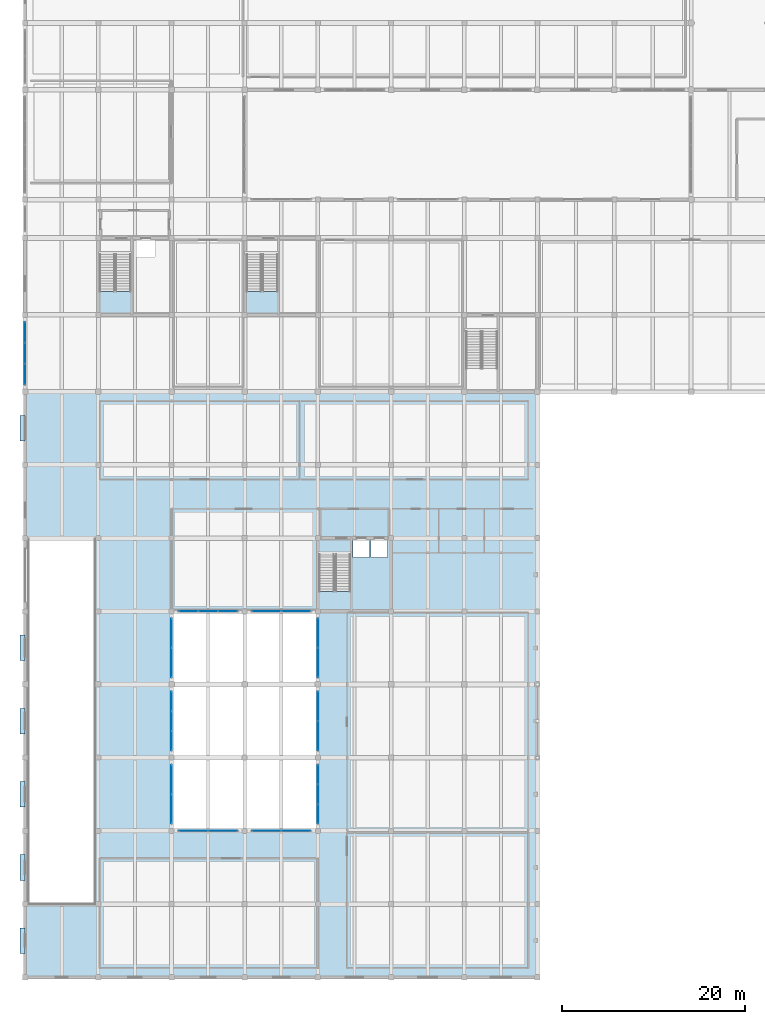
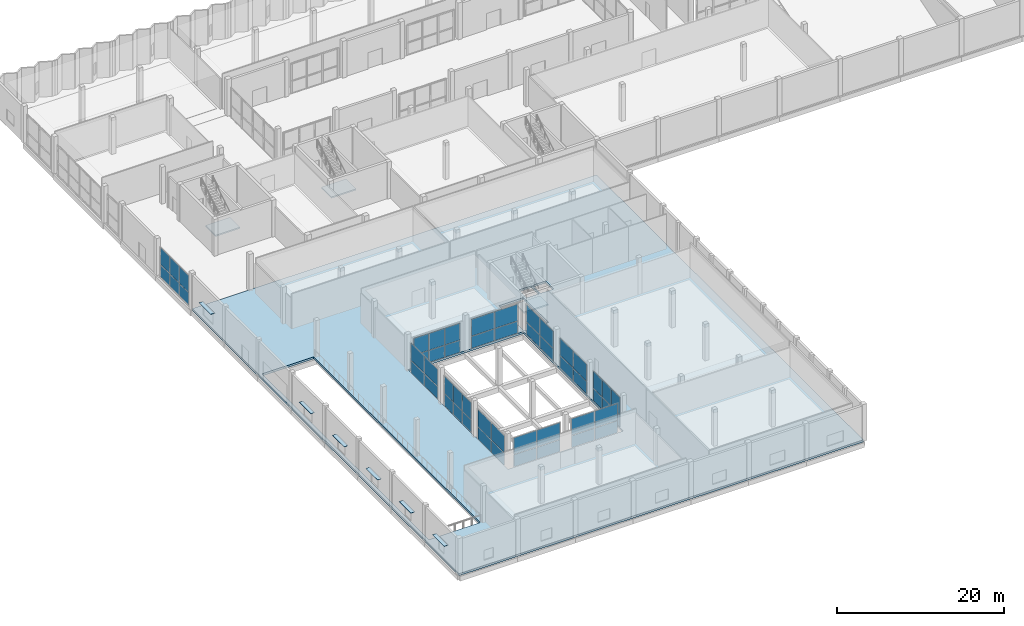
# One storey, part 20 of 41: 58 plates, 4 slabs, 14 elements without a shape of their own.
"""IFC4 building model written with IfcOpenShell, lengths in metres."""

from ifc_helpers import new_model, si_unit, direction, frame, origin, origin_2d, place, context, subcontext, project, spatial, polyline, rectangle, outline, extrude, material, layer, layer_set, type_object, element, aggregate, save


model = new_model("IFC4")

# Units and contexts
model_context = context("Model", 3, precision=1e-05, world=origin(), true_north=direction((0.0, 1.0)))
body_context = subcontext(model_context, "Body", "Model", "MODEL_VIEW")
ifc_project = project(units=[si_unit("LENGTHUNIT", "METRE"), si_unit("AREAUNIT", "SQUARE_METRE"), si_unit("VOLUMEUNIT", "CUBIC_METRE"), si_unit("PLANEANGLEUNIT", "RADIAN"), si_unit("MASSUNIT", "GRAM", prefix="KILO")], contexts=[model_context])

# Site, building, storey
site_placement = place(None, origin())
site = spatial("IfcSite", under=ifc_project, at=site_placement, CompositionType="ELEMENT")
building_placement = place(site_placement, origin())
building = spatial("IfcBuilding", under=site, at=building_placement, Name="Vharandega Faculty of Natural Sciences", CompositionType="ELEMENT")
storey_placement = place(building_placement, origin())
storey = spatial("IfcBuildingStorey", under=building, at=storey_placement, Name="L00", CompositionType="ELEMENT", Elevation=0.0)

# Curtain wall, plates
ifc_material_1 = material(Name="Aluminium and solar-control glass curtain wall", Category="aluminium")
curtain_wall_type_1 = type_object("IfcCurtainWallType", Name="Unitised Curtain Wall System CW-06", PredefinedType="NOTDEFINED", material=ifc_material_1)
curtain_wall_1_placement = place(storey_placement, origin())
curtain_wall_1 = element("IfcCurtainWall", 1, at=curtain_wall_1_placement, inside=storey, type_object=curtain_wall_type_1, Name="Curtain Wall CW-L00-033", PredefinedType="NOTDEFINED")
ifc_material_2 = material(Name="Double-glazed low-E solar glass", Category="glass")
ifc_layer_1 = layer(ifc_material_2, 0.028076171875, Name="Double-glazed low-E solar glass")
ifc_layer_set_1 = layer_set([ifc_layer_1], Name="Double-glazed low-E solar glass")
plate_type_1 = type_object("IfcPlateType", Name="CW Solar Vision Panel 28mm", PredefinedType="CURTAIN_PANEL", material=ifc_layer_set_1)
plate_1_placement = place(storey_placement, frame((0.0, 65.910888671875, 0.06494140625), z_axis=(0.0, 0.0, 1.0), x_axis=(0.0, 1.0, 0.0)))
plate_1 = element("IfcPlate", 2, at=plate_1_placement, type_object=plate_type_1, Name="CW-06 panel 1.1", PredefinedType="CURTAIN_PANEL", context=body_context, shape_type="SweptSolid", body=[
    extrude(rectangle(XDim=2.20166015625, YDim=0.028076171875, at=origin_2d()), origin(), (0.0, 0.0, 1.0), 1.746337890625),
])
plate_2_placement = place(storey_placement, frame((0.0, 65.910888671875, 1.876220703125), z_axis=(0.0, 0.0, 1.0), x_axis=(0.0, 1.0, 0.0)))
plate_2 = element("IfcPlate", 3, at=plate_2_placement, type_object=plate_type_1, Name="CW-06 panel 1.2", PredefinedType="CURTAIN_PANEL", context=body_context, shape_type="SweptSolid", body=[
    extrude(rectangle(XDim=2.20166015625, YDim=0.028076171875, at=origin_2d()), origin(), (0.0, 0.0, 1.0), 2.44873046875),
])
plate_3_placement = place(storey_placement, frame((0.0, 68.199951171875, 0.06494140625), z_axis=(0.0, 0.0, 1.0), x_axis=(0.0, 1.0, 0.0)))
plate_3 = element("IfcPlate", 4, at=plate_3_placement, type_object=plate_type_1, Name="CW-06 panel 2.1", PredefinedType="CURTAIN_PANEL", context=body_context, shape_type="SweptSolid", body=[
    extrude(rectangle(XDim=2.236572265625, YDim=0.028076171875, at=origin_2d()), origin(), (0.0, 0.0, 1.0), 1.746337890625),
])
plate_4_placement = place(storey_placement, frame((0.0, 68.199951171875, 1.876220703125), z_axis=(0.0, 0.0, 1.0), x_axis=(0.0, 1.0, 0.0)))
plate_4 = element("IfcPlate", 5, at=plate_4_placement, type_object=plate_type_1, Name="CW-06 panel 2.2", PredefinedType="CURTAIN_PANEL", context=body_context, shape_type="SweptSolid", body=[
    extrude(rectangle(XDim=2.236572265625, YDim=0.028076171875, at=origin_2d()), origin(), (0.0, 0.0, 1.0), 2.44873046875),
])
plate_5_placement = place(storey_placement, frame((0.0, 70.4892578125, 0.06494140625), z_axis=(0.0, 0.0, 1.0), x_axis=(0.0, 1.0, 0.0)))
plate_5 = element("IfcPlate", 6, at=plate_5_placement, type_object=plate_type_1, Name="CW-06 panel 3.1", PredefinedType="CURTAIN_PANEL", context=body_context, shape_type="SweptSolid", body=[
    extrude(rectangle(XDim=2.20166015625, YDim=0.028076171875, at=origin_2d()), origin(), (0.0, 0.0, 1.0), 1.746337890625),
])
plate_6_placement = place(storey_placement, frame((0.0, 70.4892578125, 1.876220703125), z_axis=(0.0, 0.0, 1.0), x_axis=(0.0, 1.0, 0.0)))
plate_6 = element("IfcPlate", 7, at=plate_6_placement, type_object=plate_type_1, Name="CW-06 panel 3.2", PredefinedType="CURTAIN_PANEL", context=body_context, shape_type="SweptSolid", body=[
    extrude(rectangle(XDim=2.20166015625, YDim=0.028076171875, at=origin_2d()), origin(), (0.0, 0.0, 1.0), 2.44873046875),
])
aggregate(curtain_wall_1, [plate_1, plate_2, plate_3, plate_4, plate_5, plate_6])

ifc_material_3 = material(Name="Aluminium and solar-control glass curtain wall", Category="aluminium")
curtain_wall_type_2 = type_object("IfcCurtainWallType", Name="Unitised Curtain Wall System CW-28", PredefinedType="NOTDEFINED", material=ifc_material_3)
curtain_wall_2_placement = place(storey_placement, origin())
curtain_wall_2 = element("IfcCurtainWall", 8, at=curtain_wall_2_placement, inside=storey, type_object=curtain_wall_type_2, Name="Curtain Wall CW-L00-111", PredefinedType="NOTDEFINED")
plate_7_placement = place(storey_placement, frame((18.387451171875, 16.0, 0.06494140625), z_axis=(0.0, 0.0, 1.0), x_axis=(1.0, 0.0, 0.0)))
plate_7 = element("IfcPlate", 9, at=plate_7_placement, type_object=plate_type_1, Name="CW-28 panel 1.1", PredefinedType="CURTAIN_PANEL", context=body_context, shape_type="SweptSolid", body=[
    extrude(rectangle(XDim=3.155029296875, YDim=0.028076171875, at=origin_2d()), origin(), (0.0, 0.0, 1.0), 1.73779296875),
])
plate_8_placement = place(storey_placement, frame((18.387451171875, 16.0, 1.867919921875), z_axis=(0.0, 0.0, 1.0), x_axis=(1.0, 0.0, 0.0)))
plate_8 = element("IfcPlate", 10, at=plate_8_placement, type_object=plate_type_1, Name="CW-28 panel 1.2", PredefinedType="CURTAIN_PANEL", context=body_context, shape_type="SweptSolid", body=[
    extrude(rectangle(XDim=3.155029296875, YDim=0.028076171875, at=origin_2d()), origin(), (0.0, 0.0, 1.0), 2.43701171875),
])
plate_9_placement = place(storey_placement, frame((21.612548828125, 16.0, 0.06494140625), z_axis=(0.0, 0.0, 1.0), x_axis=(1.0, 0.0, 0.0)))
plate_9 = element("IfcPlate", 11, at=plate_9_placement, type_object=plate_type_1, Name="CW-28 panel 2.1", PredefinedType="CURTAIN_PANEL", context=body_context, shape_type="SweptSolid", body=[
    extrude(rectangle(XDim=3.155029296875, YDim=0.028076171875, at=origin_2d()), origin(), (0.0, 0.0, 1.0), 1.73779296875),
])
plate_10_placement = place(storey_placement, frame((21.612548828125, 16.0, 1.867919921875), z_axis=(0.0, 0.0, 1.0), x_axis=(1.0, 0.0, 0.0)))
plate_10 = element("IfcPlate", 12, at=plate_10_placement, type_object=plate_type_1, Name="CW-28 panel 2.2", PredefinedType="CURTAIN_PANEL", context=body_context, shape_type="SweptSolid", body=[
    extrude(rectangle(XDim=3.155029296875, YDim=0.028076171875, at=origin_2d()), origin(), (0.0, 0.0, 1.0), 2.43701171875),
])
aggregate(curtain_wall_2, [plate_7, plate_8, plate_9, plate_10])

ifc_material_4 = material(Name="Aluminium and solar-control glass curtain wall", Category="aluminium")
curtain_wall_type_3 = type_object("IfcCurtainWallType", Name="Unitised Curtain Wall System CW-01", PredefinedType="NOTDEFINED", material=ifc_material_4)
curtain_wall_3_placement = place(storey_placement, origin())
curtain_wall_3 = element("IfcCurtainWall", 13, at=curtain_wall_3_placement, inside=storey, type_object=curtain_wall_type_3, Name="Curtain Wall CW-L00-112", PredefinedType="NOTDEFINED")
plate_11_placement = place(storey_placement, frame((17.84423828125, 40.0, 0.06494140625), z_axis=(0.0, 0.0, 1.0), x_axis=(1.0, 0.0, 0.0)))
plate_11 = element("IfcPlate", 14, at=plate_11_placement, type_object=plate_type_1, Name="CW-01 panel 1.1", PredefinedType="CURTAIN_PANEL", context=body_context, shape_type="SweptSolid", body=[
    extrude(rectangle(XDim=2.068359375, YDim=0.028076171875, at=origin_2d()), origin(), (0.0, 0.0, 1.0), 1.73779296875),
])
plate_12_placement = place(storey_placement, frame((17.84423828125, 40.0, 1.867919921875), z_axis=(0.0, 0.0, 1.0), x_axis=(1.0, 0.0, 0.0)))
plate_12 = element("IfcPlate", 15, at=plate_12_placement, type_object=plate_type_1, Name="CW-01 panel 1.2", PredefinedType="CURTAIN_PANEL", context=body_context, shape_type="SweptSolid", body=[
    extrude(rectangle(XDim=2.068359375, YDim=0.028076171875, at=origin_2d()), origin(), (0.0, 0.0, 1.0), 2.43701171875),
])
plate_13_placement = place(storey_placement, frame((20.0, 40.0, 0.06494140625), z_axis=(0.0, 0.0, 1.0), x_axis=(1.0, 0.0, 0.0)))
plate_13 = element("IfcPlate", 16, at=plate_13_placement, type_object=plate_type_1, Name="CW-01 panel 2.1", PredefinedType="CURTAIN_PANEL", context=body_context, shape_type="SweptSolid", body=[
    extrude(rectangle(XDim=2.103271484375, YDim=0.028076171875, at=origin_2d()), origin(), (0.0, 0.0, 1.0), 1.73779296875),
])
plate_14_placement = place(storey_placement, frame((20.0, 40.0, 1.867919921875), z_axis=(0.0, 0.0, 1.0), x_axis=(1.0, 0.0, 0.0)))
plate_14 = element("IfcPlate", 17, at=plate_14_placement, type_object=plate_type_1, Name="CW-01 panel 2.2", PredefinedType="CURTAIN_PANEL", context=body_context, shape_type="SweptSolid", body=[
    extrude(rectangle(XDim=2.103271484375, YDim=0.028076171875, at=origin_2d()), origin(), (0.0, 0.0, 1.0), 2.43701171875),
])
plate_15_placement = place(storey_placement, frame((22.15576171875, 40.0, 0.06494140625), z_axis=(0.0, 0.0, 1.0), x_axis=(1.0, 0.0, 0.0)))
plate_15 = element("IfcPlate", 18, at=plate_15_placement, type_object=plate_type_1, Name="CW-01 panel 3.1", PredefinedType="CURTAIN_PANEL", context=body_context, shape_type="SweptSolid", body=[
    extrude(rectangle(XDim=2.068359375, YDim=0.028076171875, at=origin_2d()), origin(), (0.0, 0.0, 1.0), 1.73779296875),
])
plate_16_placement = place(storey_placement, frame((22.15576171875, 40.0, 1.867919921875), z_axis=(0.0, 0.0, 1.0), x_axis=(1.0, 0.0, 0.0)))
plate_16 = element("IfcPlate", 19, at=plate_16_placement, type_object=plate_type_1, Name="CW-01 panel 3.2", PredefinedType="CURTAIN_PANEL", context=body_context, shape_type="SweptSolid", body=[
    extrude(rectangle(XDim=2.068359375, YDim=0.028076171875, at=origin_2d()), origin(), (0.0, 0.0, 1.0), 2.43701171875),
])
aggregate(curtain_wall_3, [plate_11, plate_12, plate_13, plate_14, plate_15, plate_16])

ifc_material_5 = material(Name="Aluminium and solar-control glass curtain wall", Category="aluminium")
curtain_wall_type_4 = type_object("IfcCurtainWallType", Name="Unitised Curtain Wall System CW-02", PredefinedType="NOTDEFINED", material=ifc_material_5)
curtain_wall_4_placement = place(storey_placement, origin())
curtain_wall_4 = element("IfcCurtainWall", 20, at=curtain_wall_4_placement, inside=storey, type_object=curtain_wall_type_4, Name="Curtain Wall CW-L00-113", PredefinedType="NOTDEFINED")
plate_17_placement = place(storey_placement, frame((26.387451171875, 16.0, 0.06494140625), z_axis=(0.0, 0.0, 1.0), x_axis=(1.0, 0.0, 0.0)))
plate_17 = element("IfcPlate", 21, at=plate_17_placement, type_object=plate_type_1, Name="CW-02 panel 1.1", PredefinedType="CURTAIN_PANEL", context=body_context, shape_type="SweptSolid", body=[
    extrude(rectangle(XDim=3.155029296875, YDim=0.028076171875, at=origin_2d()), origin(), (0.0, 0.0, 1.0), 1.73779296875),
])
plate_18_placement = place(storey_placement, frame((26.387451171875, 16.0, 1.867919921875), z_axis=(0.0, 0.0, 1.0), x_axis=(1.0, 0.0, 0.0)))
plate_18 = element("IfcPlate", 22, at=plate_18_placement, type_object=plate_type_1, Name="CW-02 panel 1.2", PredefinedType="CURTAIN_PANEL", context=body_context, shape_type="SweptSolid", body=[
    extrude(rectangle(XDim=3.155029296875, YDim=0.028076171875, at=origin_2d()), origin(), (0.0, 0.0, 1.0), 2.43701171875),
])
plate_19_placement = place(storey_placement, frame((29.612548828125, 16.0, 0.06494140625), z_axis=(0.0, 0.0, 1.0), x_axis=(1.0, 0.0, 0.0)))
plate_19 = element("IfcPlate", 23, at=plate_19_placement, type_object=plate_type_1, Name="CW-02 panel 2.1", PredefinedType="CURTAIN_PANEL", context=body_context, shape_type="SweptSolid", body=[
    extrude(rectangle(XDim=3.155029296875, YDim=0.028076171875, at=origin_2d()), origin(), (0.0, 0.0, 1.0), 1.73779296875),
])
plate_20_placement = place(storey_placement, frame((29.612548828125, 16.0, 1.867919921875), z_axis=(0.0, 0.0, 1.0), x_axis=(1.0, 0.0, 0.0)))
plate_20 = element("IfcPlate", 24, at=plate_20_placement, type_object=plate_type_1, Name="CW-02 panel 2.2", PredefinedType="CURTAIN_PANEL", context=body_context, shape_type="SweptSolid", body=[
    extrude(rectangle(XDim=3.155029296875, YDim=0.028076171875, at=origin_2d()), origin(), (0.0, 0.0, 1.0), 2.43701171875),
])
aggregate(curtain_wall_4, [plate_17, plate_18, plate_19, plate_20])

ifc_material_6 = material(Name="Aluminium and solar-control glass curtain wall", Category="aluminium")
curtain_wall_type_5 = type_object("IfcCurtainWallType", Name="Unitised Curtain Wall System CW-03", PredefinedType="NOTDEFINED", material=ifc_material_6)
curtain_wall_5_placement = place(storey_placement, origin())
curtain_wall_5 = element("IfcCurtainWall", 25, at=curtain_wall_5_placement, inside=storey, type_object=curtain_wall_type_5, Name="Curtain Wall CW-L00-114", PredefinedType="NOTDEFINED")
plate_21_placement = place(storey_placement, frame((26.387451171875, 40.0, 0.06494140625), z_axis=(0.0, 0.0, 1.0), x_axis=(1.0, 0.0, 0.0)))
plate_21 = element("IfcPlate", 26, at=plate_21_placement, type_object=plate_type_1, Name="CW-03 panel 1.1", PredefinedType="CURTAIN_PANEL", context=body_context, shape_type="SweptSolid", body=[
    extrude(rectangle(XDim=3.155029296875, YDim=0.028076171875, at=origin_2d()), origin(), (0.0, 0.0, 1.0), 1.73779296875),
])
plate_22_placement = place(storey_placement, frame((26.387451171875, 40.0, 1.867919921875), z_axis=(0.0, 0.0, 1.0), x_axis=(1.0, 0.0, 0.0)))
plate_22 = element("IfcPlate", 27, at=plate_22_placement, type_object=plate_type_1, Name="CW-03 panel 1.2", PredefinedType="CURTAIN_PANEL", context=body_context, shape_type="SweptSolid", body=[
    extrude(rectangle(XDim=3.155029296875, YDim=0.028076171875, at=origin_2d()), origin(), (0.0, 0.0, 1.0), 2.43701171875),
])
plate_23_placement = place(storey_placement, frame((29.612548828125, 40.0, 0.06494140625), z_axis=(0.0, 0.0, 1.0), x_axis=(1.0, 0.0, 0.0)))
plate_23 = element("IfcPlate", 28, at=plate_23_placement, type_object=plate_type_1, Name="CW-03 panel 2.1", PredefinedType="CURTAIN_PANEL", context=body_context, shape_type="SweptSolid", body=[
    extrude(rectangle(XDim=3.155029296875, YDim=0.028076171875, at=origin_2d()), origin(), (0.0, 0.0, 1.0), 1.73779296875),
])
plate_24_placement = place(storey_placement, frame((29.612548828125, 40.0, 1.867919921875), z_axis=(0.0, 0.0, 1.0), x_axis=(1.0, 0.0, 0.0)))
plate_24 = element("IfcPlate", 29, at=plate_24_placement, type_object=plate_type_1, Name="CW-03 panel 2.2", PredefinedType="CURTAIN_PANEL", context=body_context, shape_type="SweptSolid", body=[
    extrude(rectangle(XDim=3.155029296875, YDim=0.028076171875, at=origin_2d()), origin(), (0.0, 0.0, 1.0), 2.43701171875),
])
aggregate(curtain_wall_5, [plate_21, plate_22, plate_23, plate_24])

ifc_material_7 = material(Name="Aluminium and solar-control glass curtain wall", Category="aluminium")
curtain_wall_type_6 = type_object("IfcCurtainWallType", Name="Unitised Curtain Wall System CW-04", PredefinedType="NOTDEFINED", material=ifc_material_7)
curtain_wall_6_placement = place(storey_placement, origin())
curtain_wall_6 = element("IfcCurtainWall", 30, at=curtain_wall_6_placement, inside=storey, type_object=curtain_wall_type_6, Name="Curtain Wall CW-L00-115", PredefinedType="NOTDEFINED")
plate_25_placement = place(storey_placement, frame((16.0, 18.387451171875, 0.06494140625), z_axis=(0.0, 0.0, 1.0), x_axis=(0.0, 1.0, 0.0)))
plate_25 = element("IfcPlate", 31, at=plate_25_placement, type_object=plate_type_1, Name="CW-04 panel 1.1", PredefinedType="CURTAIN_PANEL", context=body_context, shape_type="SweptSolid", body=[
    extrude(rectangle(XDim=3.155029296875, YDim=0.028076171875, at=origin_2d()), origin(), (0.0, 0.0, 1.0), 1.77978515625),
])
plate_26_placement = place(storey_placement, frame((16.0, 18.387451171875, 1.909912109375), z_axis=(0.0, 0.0, 1.0), x_axis=(0.0, 1.0, 0.0)))
plate_26 = element("IfcPlate", 32, at=plate_26_placement, type_object=plate_type_1, Name="CW-04 panel 1.2", PredefinedType="CURTAIN_PANEL", context=body_context, shape_type="SweptSolid", body=[
    extrude(rectangle(XDim=3.155029296875, YDim=0.028076171875, at=origin_2d()), origin(), (0.0, 0.0, 1.0), 2.4951171875),
])
plate_27_placement = place(storey_placement, frame((16.0, 21.612548828125, 0.06494140625), z_axis=(0.0, 0.0, 1.0), x_axis=(0.0, 1.0, 0.0)))
plate_27 = element("IfcPlate", 33, at=plate_27_placement, type_object=plate_type_1, Name="CW-04 panel 2.1", PredefinedType="CURTAIN_PANEL", context=body_context, shape_type="SweptSolid", body=[
    extrude(rectangle(XDim=3.155029296875, YDim=0.028076171875, at=origin_2d()), origin(), (0.0, 0.0, 1.0), 1.77978515625),
])
plate_28_placement = place(storey_placement, frame((16.0, 21.612548828125, 1.909912109375), z_axis=(0.0, 0.0, 1.0), x_axis=(0.0, 1.0, 0.0)))
plate_28 = element("IfcPlate", 34, at=plate_28_placement, type_object=plate_type_1, Name="CW-04 panel 2.2", PredefinedType="CURTAIN_PANEL", context=body_context, shape_type="SweptSolid", body=[
    extrude(rectangle(XDim=3.155029296875, YDim=0.028076171875, at=origin_2d()), origin(), (0.0, 0.0, 1.0), 2.4951171875),
])
aggregate(curtain_wall_6, [plate_25, plate_26, plate_27, plate_28])

ifc_material_8 = material(Name="Aluminium and solar-control glass curtain wall", Category="aluminium")
curtain_wall_type_7 = type_object("IfcCurtainWallType", Name="Unitised Curtain Wall System CW-05", PredefinedType="NOTDEFINED", material=ifc_material_8)
curtain_wall_7_placement = place(storey_placement, origin())
curtain_wall_7 = element("IfcCurtainWall", 35, at=curtain_wall_7_placement, inside=storey, type_object=curtain_wall_type_7, Name="Curtain Wall CW-L00-116", PredefinedType="NOTDEFINED")
plate_29_placement = place(storey_placement, frame((32.0, 17.84423828125, 0.06494140625), z_axis=(0.0, 0.0, 1.0), x_axis=(0.0, 1.0, 0.0)))
plate_29 = element("IfcPlate", 36, at=plate_29_placement, type_object=plate_type_1, Name="CW-05 panel 1.1", PredefinedType="CURTAIN_PANEL", context=body_context, shape_type="SweptSolid", body=[
    extrude(rectangle(XDim=2.068359375, YDim=0.028076171875, at=origin_2d()), origin(), (0.0, 0.0, 1.0), 1.77978515625),
])
plate_30_placement = place(storey_placement, frame((32.0, 17.84423828125, 1.909912109375), z_axis=(0.0, 0.0, 1.0), x_axis=(0.0, 1.0, 0.0)))
plate_30 = element("IfcPlate", 37, at=plate_30_placement, type_object=plate_type_1, Name="CW-05 panel 1.2", PredefinedType="CURTAIN_PANEL", context=body_context, shape_type="SweptSolid", body=[
    extrude(rectangle(XDim=2.068359375, YDim=0.028076171875, at=origin_2d()), origin(), (0.0, 0.0, 1.0), 2.4951171875),
])
plate_31_placement = place(storey_placement, frame((32.0, 20.0, 0.06494140625), z_axis=(0.0, 0.0, 1.0), x_axis=(0.0, 1.0, 0.0)))
plate_31 = element("IfcPlate", 38, at=plate_31_placement, type_object=plate_type_1, Name="CW-05 panel 2.1", PredefinedType="CURTAIN_PANEL", context=body_context, shape_type="SweptSolid", body=[
    extrude(rectangle(XDim=2.103271484375, YDim=0.028076171875, at=origin_2d()), origin(), (0.0, 0.0, 1.0), 1.77978515625),
])
plate_32_placement = place(storey_placement, frame((32.0, 20.0, 1.909912109375), z_axis=(0.0, 0.0, 1.0), x_axis=(0.0, 1.0, 0.0)))
plate_32 = element("IfcPlate", 39, at=plate_32_placement, type_object=plate_type_1, Name="CW-05 panel 2.2", PredefinedType="CURTAIN_PANEL", context=body_context, shape_type="SweptSolid", body=[
    extrude(rectangle(XDim=2.103271484375, YDim=0.028076171875, at=origin_2d()), origin(), (0.0, 0.0, 1.0), 2.4951171875),
])
plate_33_placement = place(storey_placement, frame((32.0, 22.15576171875, 0.06494140625), z_axis=(0.0, 0.0, 1.0), x_axis=(0.0, 1.0, 0.0)))
plate_33 = element("IfcPlate", 40, at=plate_33_placement, type_object=plate_type_1, Name="CW-05 panel 3.1", PredefinedType="CURTAIN_PANEL", context=body_context, shape_type="SweptSolid", body=[
    extrude(rectangle(XDim=2.068359375, YDim=0.028076171875, at=origin_2d()), origin(), (0.0, 0.0, 1.0), 1.77978515625),
])
plate_34_placement = place(storey_placement, frame((32.0, 22.15576171875, 1.909912109375), z_axis=(0.0, 0.0, 1.0), x_axis=(0.0, 1.0, 0.0)))
plate_34 = element("IfcPlate", 41, at=plate_34_placement, type_object=plate_type_1, Name="CW-05 panel 3.2", PredefinedType="CURTAIN_PANEL", context=body_context, shape_type="SweptSolid", body=[
    extrude(rectangle(XDim=2.068359375, YDim=0.028076171875, at=origin_2d()), origin(), (0.0, 0.0, 1.0), 2.4951171875),
])
aggregate(curtain_wall_7, [plate_29, plate_30, plate_31, plate_32, plate_33, plate_34])

curtain_wall_8_placement = place(storey_placement, origin())
curtain_wall_8 = element("IfcCurtainWall", 42, at=curtain_wall_8_placement, inside=storey, type_object=curtain_wall_type_1, Name="Curtain Wall CW-L00-117", PredefinedType="NOTDEFINED")
plate_35_placement = place(storey_placement, frame((16.0, 25.84423828125, 0.06494140625), z_axis=(0.0, 0.0, 1.0), x_axis=(0.0, 1.0, 0.0)))
plate_35 = element("IfcPlate", 43, at=plate_35_placement, type_object=plate_type_1, Name="CW-06 panel 1.1", PredefinedType="CURTAIN_PANEL", context=body_context, shape_type="SweptSolid", body=[
    extrude(rectangle(XDim=2.068359375, YDim=0.028076171875, at=origin_2d()), origin(), (0.0, 0.0, 1.0), 1.77978515625),
])
plate_36_placement = place(storey_placement, frame((16.0, 25.84423828125, 1.909912109375), z_axis=(0.0, 0.0, 1.0), x_axis=(0.0, 1.0, 0.0)))
plate_36 = element("IfcPlate", 44, at=plate_36_placement, type_object=plate_type_1, Name="CW-06 panel 1.2", PredefinedType="CURTAIN_PANEL", context=body_context, shape_type="SweptSolid", body=[
    extrude(rectangle(XDim=2.068359375, YDim=0.028076171875, at=origin_2d()), origin(), (0.0, 0.0, 1.0), 2.4951171875),
])
plate_37_placement = place(storey_placement, frame((16.0, 28.0, 0.06494140625), z_axis=(0.0, 0.0, 1.0), x_axis=(0.0, 1.0, 0.0)))
plate_37 = element("IfcPlate", 45, at=plate_37_placement, type_object=plate_type_1, Name="CW-06 panel 2.1", PredefinedType="CURTAIN_PANEL", context=body_context, shape_type="SweptSolid", body=[
    extrude(rectangle(XDim=2.103271484375, YDim=0.028076171875, at=origin_2d()), origin(), (0.0, 0.0, 1.0), 1.77978515625),
])
plate_38_placement = place(storey_placement, frame((16.0, 28.0, 1.909912109375), z_axis=(0.0, 0.0, 1.0), x_axis=(0.0, 1.0, 0.0)))
plate_38 = element("IfcPlate", 46, at=plate_38_placement, type_object=plate_type_1, Name="CW-06 panel 2.2", PredefinedType="CURTAIN_PANEL", context=body_context, shape_type="SweptSolid", body=[
    extrude(rectangle(XDim=2.103271484375, YDim=0.028076171875, at=origin_2d()), origin(), (0.0, 0.0, 1.0), 2.4951171875),
])
plate_39_placement = place(storey_placement, frame((16.0, 30.15576171875, 0.06494140625), z_axis=(0.0, 0.0, 1.0), x_axis=(0.0, 1.0, 0.0)))
plate_39 = element("IfcPlate", 47, at=plate_39_placement, type_object=plate_type_1, Name="CW-06 panel 3.1", PredefinedType="CURTAIN_PANEL", context=body_context, shape_type="SweptSolid", body=[
    extrude(rectangle(XDim=2.068359375, YDim=0.028076171875, at=origin_2d()), origin(), (0.0, 0.0, 1.0), 1.77978515625),
])
plate_40_placement = place(storey_placement, frame((16.0, 30.15576171875, 1.909912109375), z_axis=(0.0, 0.0, 1.0), x_axis=(0.0, 1.0, 0.0)))
plate_40 = element("IfcPlate", 48, at=plate_40_placement, type_object=plate_type_1, Name="CW-06 panel 3.2", PredefinedType="CURTAIN_PANEL", context=body_context, shape_type="SweptSolid", body=[
    extrude(rectangle(XDim=2.068359375, YDim=0.028076171875, at=origin_2d()), origin(), (0.0, 0.0, 1.0), 2.4951171875),
])
aggregate(curtain_wall_8, [plate_35, plate_36, plate_37, plate_38, plate_39, plate_40])

ifc_material_9 = material(Name="Aluminium and solar-control glass curtain wall", Category="aluminium")
curtain_wall_type_8 = type_object("IfcCurtainWallType", Name="Unitised Curtain Wall System CW-07", PredefinedType="NOTDEFINED", material=ifc_material_9)
curtain_wall_9_placement = place(storey_placement, origin())
curtain_wall_9 = element("IfcCurtainWall", 49, at=curtain_wall_9_placement, inside=storey, type_object=curtain_wall_type_8, Name="Curtain Wall CW-L00-118", PredefinedType="NOTDEFINED")
plate_41_placement = place(storey_placement, frame((32.0, 26.387451171875, 0.06494140625), z_axis=(0.0, 0.0, 1.0), x_axis=(0.0, 1.0, 0.0)))
plate_41 = element("IfcPlate", 50, at=plate_41_placement, type_object=plate_type_1, Name="CW-07 panel 1.1", PredefinedType="CURTAIN_PANEL", context=body_context, shape_type="SweptSolid", body=[
    extrude(rectangle(XDim=3.155029296875, YDim=0.028076171875, at=origin_2d()), origin(), (0.0, 0.0, 1.0), 1.77978515625),
])
plate_42_placement = place(storey_placement, frame((32.0, 26.387451171875, 1.909912109375), z_axis=(0.0, 0.0, 1.0), x_axis=(0.0, 1.0, 0.0)))
plate_42 = element("IfcPlate", 51, at=plate_42_placement, type_object=plate_type_1, Name="CW-07 panel 1.2", PredefinedType="CURTAIN_PANEL", context=body_context, shape_type="SweptSolid", body=[
    extrude(rectangle(XDim=3.155029296875, YDim=0.028076171875, at=origin_2d()), origin(), (0.0, 0.0, 1.0), 2.4951171875),
])
plate_43_placement = place(storey_placement, frame((32.0, 29.612548828125, 0.06494140625), z_axis=(0.0, 0.0, 1.0), x_axis=(0.0, 1.0, 0.0)))
plate_43 = element("IfcPlate", 52, at=plate_43_placement, type_object=plate_type_1, Name="CW-07 panel 2.1", PredefinedType="CURTAIN_PANEL", context=body_context, shape_type="SweptSolid", body=[
    extrude(rectangle(XDim=3.155029296875, YDim=0.028076171875, at=origin_2d()), origin(), (0.0, 0.0, 1.0), 1.77978515625),
])
plate_44_placement = place(storey_placement, frame((32.0, 29.612548828125, 1.909912109375), z_axis=(0.0, 0.0, 1.0), x_axis=(0.0, 1.0, 0.0)))
plate_44 = element("IfcPlate", 53, at=plate_44_placement, type_object=plate_type_1, Name="CW-07 panel 2.2", PredefinedType="CURTAIN_PANEL", context=body_context, shape_type="SweptSolid", body=[
    extrude(rectangle(XDim=3.155029296875, YDim=0.028076171875, at=origin_2d()), origin(), (0.0, 0.0, 1.0), 2.4951171875),
])
aggregate(curtain_wall_9, [plate_41, plate_42, plate_43, plate_44])

ifc_material_10 = material(Name="Aluminium and solar-control glass curtain wall", Category="aluminium")
curtain_wall_type_9 = type_object("IfcCurtainWallType", Name="Unitised Curtain Wall System CW-08", PredefinedType="NOTDEFINED", material=ifc_material_10)
curtain_wall_10_placement = place(storey_placement, origin())
curtain_wall_10 = element("IfcCurtainWall", 54, at=curtain_wall_10_placement, inside=storey, type_object=curtain_wall_type_9, Name="Curtain Wall CW-L00-119", PredefinedType="NOTDEFINED")
plate_45_placement = place(storey_placement, frame((16.0, 34.387451171875, 0.06494140625), z_axis=(0.0, 0.0, 1.0), x_axis=(0.0, 1.0, 0.0)))
plate_45 = element("IfcPlate", 55, at=plate_45_placement, type_object=plate_type_1, Name="CW-08 panel 1.1", PredefinedType="CURTAIN_PANEL", context=body_context, shape_type="SweptSolid", body=[
    extrude(rectangle(XDim=3.155029296875, YDim=0.028076171875, at=origin_2d()), origin(), (0.0, 0.0, 1.0), 1.77978515625),
])
plate_46_placement = place(storey_placement, frame((16.0, 34.387451171875, 1.909912109375), z_axis=(0.0, 0.0, 1.0), x_axis=(0.0, 1.0, 0.0)))
plate_46 = element("IfcPlate", 56, at=plate_46_placement, type_object=plate_type_1, Name="CW-08 panel 1.2", PredefinedType="CURTAIN_PANEL", context=body_context, shape_type="SweptSolid", body=[
    extrude(rectangle(XDim=3.155029296875, YDim=0.028076171875, at=origin_2d()), origin(), (0.0, 0.0, 1.0), 2.4951171875),
])
plate_47_placement = place(storey_placement, frame((16.0, 37.612548828125, 0.06494140625), z_axis=(0.0, 0.0, 1.0), x_axis=(0.0, 1.0, 0.0)))
plate_47 = element("IfcPlate", 57, at=plate_47_placement, type_object=plate_type_1, Name="CW-08 panel 2.1", PredefinedType="CURTAIN_PANEL", context=body_context, shape_type="SweptSolid", body=[
    extrude(rectangle(XDim=3.155029296875, YDim=0.028076171875, at=origin_2d()), origin(), (0.0, 0.0, 1.0), 1.77978515625),
])
plate_48_placement = place(storey_placement, frame((16.0, 37.612548828125, 1.909912109375), z_axis=(0.0, 0.0, 1.0), x_axis=(0.0, 1.0, 0.0)))
plate_48 = element("IfcPlate", 58, at=plate_48_placement, type_object=plate_type_1, Name="CW-08 panel 2.2", PredefinedType="CURTAIN_PANEL", context=body_context, shape_type="SweptSolid", body=[
    extrude(rectangle(XDim=3.155029296875, YDim=0.028076171875, at=origin_2d()), origin(), (0.0, 0.0, 1.0), 2.4951171875),
])
aggregate(curtain_wall_10, [plate_45, plate_46, plate_47, plate_48])

ifc_material_11 = material(Name="Aluminium and solar-control glass curtain wall", Category="aluminium")
curtain_wall_type_10 = type_object("IfcCurtainWallType", Name="Unitised Curtain Wall System CW-09", PredefinedType="NOTDEFINED", material=ifc_material_11)
curtain_wall_11_placement = place(storey_placement, origin())
curtain_wall_11 = element("IfcCurtainWall", 59, at=curtain_wall_11_placement, inside=storey, type_object=curtain_wall_type_10, Name="Curtain Wall CW-L00-120", PredefinedType="NOTDEFINED")
plate_49_placement = place(storey_placement, frame((32.0, 34.387451171875, 0.06494140625), z_axis=(0.0, 0.0, 1.0), x_axis=(0.0, 1.0, 0.0)))
plate_49 = element("IfcPlate", 60, at=plate_49_placement, type_object=plate_type_1, Name="CW-09 panel 1.1", PredefinedType="CURTAIN_PANEL", context=body_context, shape_type="SweptSolid", body=[
    extrude(rectangle(XDim=3.155029296875, YDim=0.028076171875, at=origin_2d()), origin(), (0.0, 0.0, 1.0), 1.77978515625),
])
plate_50_placement = place(storey_placement, frame((32.0, 34.387451171875, 1.909912109375), z_axis=(0.0, 0.0, 1.0), x_axis=(0.0, 1.0, 0.0)))
plate_50 = element("IfcPlate", 61, at=plate_50_placement, type_object=plate_type_1, Name="CW-09 panel 1.2", PredefinedType="CURTAIN_PANEL", context=body_context, shape_type="SweptSolid", body=[
    extrude(rectangle(XDim=3.155029296875, YDim=0.028076171875, at=origin_2d()), origin(), (0.0, 0.0, 1.0), 2.4951171875),
])
plate_51_placement = place(storey_placement, frame((32.0, 37.612548828125, 0.06494140625), z_axis=(0.0, 0.0, 1.0), x_axis=(0.0, 1.0, 0.0)))
plate_51 = element("IfcPlate", 62, at=plate_51_placement, type_object=plate_type_1, Name="CW-09 panel 2.1", PredefinedType="CURTAIN_PANEL", context=body_context, shape_type="SweptSolid", body=[
    extrude(rectangle(XDim=3.155029296875, YDim=0.028076171875, at=origin_2d()), origin(), (0.0, 0.0, 1.0), 1.77978515625),
])
plate_52_placement = place(storey_placement, frame((32.0, 37.612548828125, 1.909912109375), z_axis=(0.0, 0.0, 1.0), x_axis=(0.0, 1.0, 0.0)))
plate_52 = element("IfcPlate", 63, at=plate_52_placement, type_object=plate_type_1, Name="CW-09 panel 2.2", PredefinedType="CURTAIN_PANEL", context=body_context, shape_type="SweptSolid", body=[
    extrude(rectangle(XDim=3.155029296875, YDim=0.028076171875, at=origin_2d()), origin(), (0.0, 0.0, 1.0), 2.4951171875),
])
aggregate(curtain_wall_11, [plate_49, plate_50, plate_51, plate_52])

# Plates
ifc_material_12 = material(Name="Aluminium solar hood sheet", Category="aluminium")
ifc_layer_2 = layer(ifc_material_12, 0.0400390625, Name="Aluminium solar hood sheet")
ifc_layer_set_2 = layer_set([ifc_layer_2], Name="Aluminium solar hood sheet")
plate_type_2 = type_object("IfcPlateType", Name="North Solar Hood Sheet Plate 40", PredefinedType="SHEET", material=ifc_layer_set_2)
for number, where, z_axis, x_axis, name in (
    (64, (-0.280029296875, 4.0, 2.60009765625), (0.0, 0.0, 1.0), (1.0, 0.0, 0.0), "Solar Shading Hood L00 A"),
    (65, (-0.280029296875, 12.0, 2.60009765625), (0.0, 0.0, 1.0), (1.0, 0.0, 0.0), "Solar Shading Hood L00 B"),
    (66, (-0.280029296875, 20.0, 2.60009765625), (0.0, 0.0, 1.0), (1.0, 0.0, 0.0), "Solar Shading Hood L00 C"),
    (67, (-0.280029296875, 28.0, 2.60009765625), (0.0, 0.0, 1.0), (1.0, 0.0, 0.0), "Solar Shading Hood L00 D"),
    (68, (-0.280029296875, 36.0, 2.60009765625), (0.0, 0.0, 1.0), (1.0, 0.0, 0.0), "Solar Shading Hood L00 E"),
    (69, (-0.280029296875, 60.0, 2.60009765625), (0.0, 0.0, 1.0), (1.0, 0.0, 0.0), "Solar Shading Hood L00 H"),
):
    element("IfcPlate", number, at=place(storey_placement, frame(where, z_axis=z_axis, x_axis=x_axis)), inside=storey, type_object=plate_type_2, Name=name, PredefinedType="SHEET", context=body_context, shape_type="SweptSolid", body=[
        extrude(rectangle(XDim=0.56005859375, YDim=2.800048828125, at=origin_2d()), origin(), (0.0, 0.0, 1.0), 0.0400390625),
    ])

# Slab
ifc_material_13 = material(Name="Concrete C40/50", Category="concrete")
ifc_layer_3 = layer(ifc_material_13, 0.300048828125, Name="Concrete C40/50")
ifc_layer_set_3 = layer_set([ifc_layer_3], Name="Concrete C40/50")
slab_type_1 = type_object("IfcSlabType", Name="SLAB-RC-300", PredefinedType="FLOOR", material=ifc_layer_set_3)
slab_1_placement = place(storey_placement, frame((0.0, 0.0, -0.300048828125)))
element("IfcSlab", 70, at=slab_1_placement, inside=storey, type_object=slab_type_1, Name="L00 V5 Floor Slab", PredefinedType="FLOOR", context=body_context, shape_type="SweptSolid", body=[
    extrude(outline(polyline([(0.0, 0.0), (56.0, 0.0), (56.0, 64.0), (0.0, 64.0), (0.0, 0.0)]), holes=[polyline([(16.0, 16.0), (32.0, 16.0), (32.0, 40.0), (16.0, 40.0), (16.0, 16.0)]), polyline([(0.449951171875, 8.0), (7.550048828125, 8.0), (7.550048828125, 48.0), (0.449951171875, 48.0), (0.449951171875, 8.0)]), polyline([(32.139892578125, 46.14501953125), (32.139892578125, 40.139892578125), (35.56005859375, 40.139892578125), (35.56005859375, 46.14501953125), (32.139892578125, 46.14501953125)]), polyline([(35.85009765625, 45.89990234375), (37.64990234375, 45.89990234375), (37.64990234375, 47.820068359375), (35.85009765625, 47.820068359375), (35.85009765625, 45.89990234375)]), polyline([(37.800048828125, 45.89990234375), (39.60009765625, 45.89990234375), (39.60009765625, 47.820068359375), (37.800048828125, 47.820068359375), (37.800048828125, 45.89990234375)])]), origin(), (0.0, 0.0, 1.0), 0.300048828125),
])

# Stair, slab
ifc_material_14 = material(Name="Concrete C40/50", Category="concrete")
stair_type = type_object("IfcStairType", Name="Escape Dog-Leg Stair W165 H540", PredefinedType="HALF_TURN_STAIR", material=ifc_material_14)
stair_1_placement = place(storey_placement, origin())
stair_1 = element("IfcStair", 71, at=stair_1_placement, inside=storey, type_object=stair_type, Name="L00 Escape Stair ST3", PredefinedType="HALF_TURN_STAIR")
ifc_material_15 = material(Name="Concrete C40/50", Category="concrete")
ifc_layer_4 = layer(ifc_material_15, 0.199951171875, Name="Concrete C40/50")
ifc_layer_set_4 = layer_set([ifc_layer_4], Name="Concrete C40/50")
slab_type_2 = type_object("IfcSlabType", Name="Stair Half-Landing Slab 200", PredefinedType="LANDING", material=ifc_layer_set_4)
slab_2_placement = place(storey_placement, frame((0.0, 0.0, 2.5)))
slab_2 = element("IfcSlab", 72, at=slab_2_placement, type_object=slab_type_2, Name="ST3 landing 1", PredefinedType="LANDING", context=body_context, shape_type="SweptSolid", body=[
    extrude(outline(polyline([(32.139892578125, 42.14990234375), (32.139892578125, 40.139892578125), (35.56005859375, 40.139892578125), (35.56005859375, 42.14990234375), (32.139892578125, 42.14990234375)])), origin(), (0.0, 0.0, 1.0), 0.199951171875),
])
aggregate(stair_1, [slab_2])

stair_2_placement = place(storey_placement, origin())
stair_2 = element("IfcStair", 73, at=stair_2_placement, inside=storey, type_object=stair_type, Name="L00 Escape Stair ST4", PredefinedType="HALF_TURN_STAIR")
slab_3_placement = place(storey_placement, frame((0.0, 0.0, 2.5)))
slab_3 = element("IfcSlab", 74, at=slab_3_placement, type_object=slab_type_2, Name="ST4 landing 1", PredefinedType="LANDING", context=body_context, shape_type="SweptSolid", body=[
    extrude(outline(polyline([(8.139892578125, 74.949951171875), (8.139892578125, 72.5400390625), (11.56005859375, 72.5400390625), (11.56005859375, 74.949951171875), (8.139892578125, 74.949951171875)])), origin(), (0.0, 0.0, 1.0), 0.199951171875),
])
aggregate(stair_2, [slab_3])

stair_3_placement = place(storey_placement, origin())
stair_3 = element("IfcStair", 75, at=stair_3_placement, inside=storey, type_object=stair_type, Name="L00 Escape Stair ST6", PredefinedType="HALF_TURN_STAIR")
slab_4_placement = place(storey_placement, frame((0.0, 0.0, 2.5)))
slab_4 = element("IfcSlab", 76, at=slab_4_placement, type_object=slab_type_2, Name="ST6 landing 1", PredefinedType="LANDING", context=body_context, shape_type="SweptSolid", body=[
    extrude(outline(polyline([(24.199951171875, 74.949951171875), (24.199951171875, 72.5400390625), (27.6201171875, 72.5400390625), (27.6201171875, 74.949951171875), (24.199951171875, 74.949951171875)])), origin(), (0.0, 0.0, 1.0), 0.199951171875),
])
aggregate(stair_3, [slab_4])

save(model, "model.ifc")
